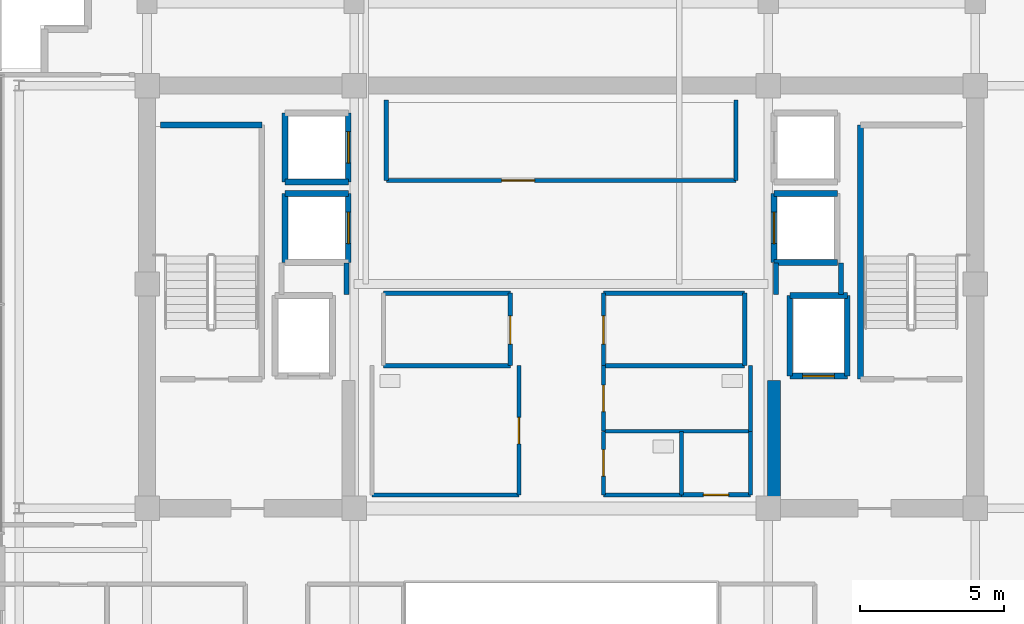
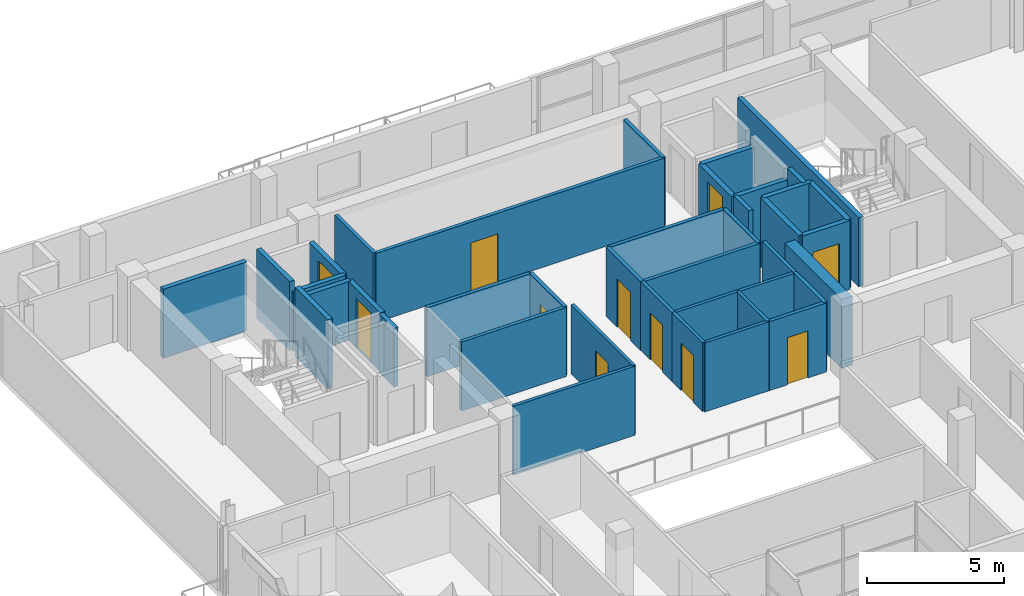
# One storey, part 17 of 24: 39 walls, 11 doors, 11 openings.
"""IFC4 building model written with IfcOpenShell, lengths in metres."""

from ifc_helpers import new_model, si_unit, direction, frame, frame_2d, origin, place, context, subcontext, project, spatial, rectangle, extrude, source, transform, mapped, material, layer, layer_set, type_object, element, fill, save


model = new_model("IFC4")

# Units and contexts
model_context = context("Model", 3, precision=1e-05, world=origin(), true_north=direction((0.0, 1.0)))
body_context = subcontext(model_context, "Body", "Model", "MODEL_VIEW")
ifc_project = project(units=[si_unit("LENGTHUNIT", "METRE"), si_unit("AREAUNIT", "SQUARE_METRE"), si_unit("VOLUMEUNIT", "CUBIC_METRE"), si_unit("PLANEANGLEUNIT", "RADIAN"), si_unit("MASSUNIT", "GRAM", prefix="KILO")], contexts=[model_context])

# Site, building, storey
site_placement = place(None, origin())
site = spatial("IfcSite", under=ifc_project, at=site_placement, CompositionType="ELEMENT")
building_placement = place(site_placement, origin())
building = spatial("IfcBuilding", under=site, at=building_placement, Name="Zarnakvel Exchange Tower", CompositionType="ELEMENT")
storey_placement = place(building_placement, frame((0.0, 0.0, 235.300048828125)))
storey = spatial("IfcBuildingStorey", under=building, at=storey_placement, Name="L66", CompositionType="ELEMENT", Elevation=235.300048828125)

# Wall
ifc_material_1 = material(Name="Concrete C50/60", Category="concrete")
ifc_layer_1 = layer(ifc_material_1, 0.449951171875)
ifc_layer_set_1 = layer_set([ifc_layer_1], Name="Concrete C50/60")
wall_type_1 = type_object("IfcWallType", Name="CW-C6", PredefinedType="SHEAR", material=ifc_layer_set_1)
wall_1_placement = place(storey_placement, frame((7.39990234375, -0.89990234375, 0.0), z_axis=(0.0, 0.0, 1.0), x_axis=(0.0, 1.0, 0.0)))
element("IfcWall", 1, at=wall_1_placement, inside=storey, type_object=wall_type_1, Name="L66 Rear Core Shear Wall IE (CW-C6)", PredefinedType="SHEAR", context=body_context, shape_type="SweptSolid", body=[
    extrude(rectangle(XDim=4.14990234375, YDim=0.449951171875, at=frame_2d((2.074951171875, 0.0))), origin(), (0.0, 0.0, 1.0), 3.074951171875),
])

# Wall, opening, door
ifc_material_2 = material(Name="Fire-Rated Gypsum Stud Partition", Category="gypsum")
ifc_layer_2 = layer(ifc_material_2, 0.14990234375)
ifc_layer_set_2 = layer_set([ifc_layer_2], Name="Fire-Rated Gypsum Stud Partition")
wall_type_2 = type_object("IfcWallType", Name="PT-01", PredefinedType="PARTITIONING", material=ifc_layer_set_2)
wall_2_placement = place(storey_placement, frame((6.080078125, 10.199951171875, 0.0), z_axis=(0.0, 0.0, 1.0), x_axis=(-1.0, 0.0, 0.0)))
wall_2 = element("IfcWall", 2, at=wall_2_placement, inside=storey, type_object=wall_type_2, Name="L66 Partition Wall PWALL-L66-011 (PT-01)", PredefinedType="PARTITIONING", context=body_context, shape_type="SweptSolid", body=[
    extrude(rectangle(XDim=12.16015625, YDim=0.14990234375, at=frame_2d((6.080078125, 0.0))), origin(), (0.0, 0.0, 1.0), 3.074951171875),
])
opening_1_placement = place(wall_2_placement, frame((7.0048828125, 0.0, 0.0)))
opening_1 = element("IfcOpeningElement", 3, at=opening_1_placement, cuts=wall_2, Name="Opening D-L66-05", PredefinedType="OPENING", context=body_context, shape_type="SweptSolid", body=[
    extrude(rectangle(XDim=1.14990234375, YDim=2.14990234375, at=frame_2d((0.574951171875, 1.074951171875))), frame((0.0, 0.0849609375, 0.0), z_axis=(0.0, -1.0, 0.0), x_axis=(1.0, 0.0, 0.0)), (0.0, 0.0, 1.0), 0.169921875),
])
ifc_material_3 = material(Name="Painted Galvanised Steel S355", Category="steel")
door_type_1 = type_object("IfcDoorType", Name="DT-04", OperationType="NOTDEFINED", PredefinedType="DOOR", material=ifc_material_3)
shared_shape_1 = source(origin(), body_context, "Body", "SweptSolid", [
    extrude(rectangle(XDim=1.14990234375, YDim=2.14990234375, at=frame_2d((0.574951171875, 1.074951171875))), frame((0.0, 0.02490234375, 0.0), z_axis=(0.0, -1.0, 0.0), x_axis=(1.0, 0.0, 0.0)), (0.0, 0.0, 1.0), 0.050048828125),
])
door_1_placement = place(opening_1_placement, origin())
door_1 = element("IfcDoor", 4, at=door_1_placement, inside=storey, type_object=door_type_1, Name="L66 Market Data Archive Suite Door D-L66-05", OperationType="SINGLE_SWING_LEFT", OverallHeight=2.14990234375, OverallWidth=1.14990234375, PredefinedType="DOOR", context=body_context, shape_type="MappedRepresentation", body=[
    mapped(shared_shape_1, transform((0.0, 0.0, 0.0), x_axis=(1.0, 0.0, 0.0), y_axis=(0.0, 1.0, 0.0), z_axis=(0.0, 0.0, 1.0), scale=1.0)),
])
fill(opening_1, door_1)

# Walls
for number, where, z_axis, x_axis, name in (
    (5, (-6.080078125, 10.199951171875, 0.0), (0.0, 0.0, 1.0), (0.0, 1.0, 0.0), "L66 Partition Wall PWALL-L66-012 (PT-01)"),
    (6, (6.080078125, 13.0, 0.0), (0.0, 0.0, 1.0), (0.0, -1.0, 0.0), "L66 Partition Wall PWALL-L66-013 (PT-01)"),
):
    element("IfcWall", number, at=place(storey_placement, frame(where, z_axis=z_axis, x_axis=x_axis)), inside=storey, type_object=wall_type_2, Name=name, PredefinedType="PARTITIONING", context=body_context, shape_type="SweptSolid", body=[
        extrude(rectangle(XDim=2.800048828125, YDim=0.14990234375, at=frame_2d((1.39990234375, 0.0))), origin(), (0.0, 0.0, 1.0), 3.074951171875),
    ])
for number, where, z_axis, x_axis, name in (
    (7, (-1.77001953125, 3.760009765625, 0.0), (0.0, 0.0, 1.0), (-1.0, 0.0, 0.0), "L66 Partition Wall PWALL-L66-014 (PT-01)"),
    (8, (-6.179931640625, 6.280029296875, 0.0), (0.0, 0.0, 1.0), (1.0, 0.0, 0.0), "L66 Partition Wall PWALL-L66-015 (PT-01)"),
):
    element("IfcWall", number, at=place(storey_placement, frame(where, z_axis=z_axis, x_axis=x_axis)), inside=storey, type_object=wall_type_2, Name=name, PredefinedType="PARTITIONING", context=body_context, shape_type="SweptSolid", body=[
        extrude(rectangle(XDim=4.409912109375, YDim=0.14990234375, at=frame_2d((2.205078125, 0.0))), origin(), (0.0, 0.0, 1.0), 3.074951171875),
    ])

# Wall, opening, door
wall_3_placement = place(storey_placement, frame((-1.77001953125, 6.280029296875, 0.0), z_axis=(0.0, 0.0, 1.0), x_axis=(0.0, -1.0, 0.0)))
wall_3 = element("IfcWall", 9, at=wall_3_placement, inside=storey, type_object=wall_type_2, Name="L66 Partition Wall PWALL-L66-017 (PT-01)", PredefinedType="PARTITIONING", context=body_context, shape_type="SweptSolid", body=[
    extrude(rectangle(XDim=2.52001953125, YDim=0.14990234375, at=frame_2d((1.260009765625, 0.0))), origin(), (0.0, 0.0, 1.0), 3.074951171875),
])
opening_2_placement = place(wall_3_placement, frame((0.7900390625, 0.0, 0.0)))
opening_2 = element("IfcOpeningElement", 10, at=opening_2_placement, cuts=wall_3, Name="Opening D-L66-06", PredefinedType="OPENING", context=body_context, shape_type="SweptSolid", body=[
    extrude(rectangle(XDim=0.97998046875, YDim=2.14990234375, at=frame_2d((0.489990234375, 1.074951171875))), frame((0.0, 0.0849609375, 0.0), z_axis=(0.0, -1.0, 0.0), x_axis=(1.0, 0.0, 0.0)), (0.0, 0.0, 1.0), 0.169921875),
])
ifc_material_4 = material(Name="Timber Acoustic Veneer", Category="wood")
door_type_2 = type_object("IfcDoorType", Name="DT-05", OperationType="NOTDEFINED", PredefinedType="DOOR", material=ifc_material_4)
shared_shape_2 = source(origin(), body_context, "Body", "SweptSolid", [
    extrude(rectangle(XDim=0.97998046875, YDim=2.14990234375, at=frame_2d((0.489990234375, 1.074951171875))), frame((0.0, 0.02490234375, 0.0), z_axis=(0.0, -1.0, 0.0), x_axis=(1.0, 0.0, 0.0)), (0.0, 0.0, 1.0), 0.050048828125),
])
door_2_placement = place(opening_2_placement, origin())
door_2 = element("IfcDoor", 11, at=door_2_placement, inside=storey, type_object=door_type_2, Name="L66 Sovereign Compliance Office Door D-L66-06", OperationType="SINGLE_SWING_RIGHT", OverallHeight=2.14990234375, OverallWidth=0.97998046875, PredefinedType="DOOR", context=body_context, shape_type="MappedRepresentation", body=[
    mapped(shared_shape_2, transform((0.0, 0.0, 0.0), x_axis=(1.0, 0.0, 0.0), y_axis=(0.0, 1.0, 0.0), z_axis=(0.0, 0.0, 1.0), scale=1.0)),
])
fill(opening_2, door_2)

# Walls
for number, where, z_axis, x_axis, name in (
    (12, (6.3798828125, 3.760009765625, 0.0), (0.0, 0.0, 1.0), (-1.0, 0.0, 0.0), "L66 Partition Wall PWALL-L66-018 (PT-01)"),
    (13, (1.469970703125, 6.280029296875, 0.0), (0.0, 0.0, 1.0), (1.0, 0.0, 0.0), "L66 Partition Wall PWALL-L66-019 (PT-01)"),
):
    element("IfcWall", number, at=place(storey_placement, frame(where, z_axis=z_axis, x_axis=x_axis)), inside=storey, type_object=wall_type_2, Name=name, PredefinedType="PARTITIONING", context=body_context, shape_type="SweptSolid", body=[
        extrude(rectangle(XDim=4.909912109375, YDim=0.14990234375, at=frame_2d((2.455078125, 0.0))), origin(), (0.0, 0.0, 1.0), 3.074951171875),
    ])

# Wall, opening, door
wall_4_placement = place(storey_placement, frame((1.469970703125, 3.760009765625, 0.0), z_axis=(0.0, 0.0, 1.0), x_axis=(0.0, 1.0, 0.0)))
wall_4 = element("IfcWall", 14, at=wall_4_placement, inside=storey, type_object=wall_type_2, Name="L66 Partition Wall PWALL-L66-020 (PT-01)", PredefinedType="PARTITIONING", context=body_context, shape_type="SweptSolid", body=[
    extrude(rectangle(XDim=2.52001953125, YDim=0.14990234375, at=frame_2d((1.260009765625, 0.0))), origin(), (0.0, 0.0, 1.0), 3.074951171875),
])
opening_3_placement = place(wall_4_placement, frame((0.75, 0.0, 0.0)))
opening_3 = element("IfcOpeningElement", 15, at=opening_3_placement, cuts=wall_4, Name="Opening D-L66-07", PredefinedType="OPENING", context=body_context, shape_type="SweptSolid", body=[
    extrude(rectangle(XDim=0.97998046875, YDim=2.14990234375, at=frame_2d((0.489990234375, 1.074951171875))), frame((0.0, 0.0849609375, 0.0), z_axis=(0.0, -1.0, 0.0), x_axis=(1.0, 0.0, 0.0)), (0.0, 0.0, 1.0), 0.169921875),
])
door_3_placement = place(opening_3_placement, origin())
door_3 = element("IfcDoor", 16, at=door_3_placement, inside=storey, type_object=door_type_2, Name="L66 Depository Legal Office Door D-L66-07", OperationType="SINGLE_SWING_LEFT", OverallHeight=2.14990234375, OverallWidth=0.97998046875, PredefinedType="DOOR", context=body_context, shape_type="MappedRepresentation", body=[
    mapped(shared_shape_2, transform((0.0, 0.0, 0.0), x_axis=(1.0, 0.0, 0.0), y_axis=(0.0, 1.0, 0.0), z_axis=(0.0, 0.0, 1.0), scale=1.0)),
])
fill(opening_3, door_3)

# Wall
wall_5_placement = place(storey_placement, frame((6.3798828125, 6.280029296875, 0.0), z_axis=(0.0, 0.0, 1.0), x_axis=(0.0, -1.0, 0.0)))
element("IfcWall", 17, at=wall_5_placement, inside=storey, type_object=wall_type_2, Name="L66 Partition Wall PWALL-L66-021 (PT-01)", PredefinedType="PARTITIONING", context=body_context, shape_type="SweptSolid", body=[
    extrude(rectangle(XDim=2.52001953125, YDim=0.14990234375, at=frame_2d((1.260009765625, 0.0))), origin(), (0.0, 0.0, 1.0), 3.074951171875),
])

# Wall, opening, door
wall_6_placement = place(storey_placement, frame((6.580078125, -0.72998046875, 0.0), z_axis=(0.0, 0.0, 1.0), x_axis=(-1.0, 0.0, 0.0)))
wall_6 = element("IfcWall", 18, at=wall_6_placement, inside=storey, type_object=wall_type_2, Name="L66 Partition Wall PWALL-L66-031 (PT-01)", PredefinedType="PARTITIONING", context=body_context, shape_type="SweptSolid", body=[
    extrude(rectangle(XDim=2.400146484375, YDim=0.14990234375, at=frame_2d((1.2001953125, 0.0))), origin(), (0.0, 0.0, 1.0), 3.074951171875),
])
opening_4_placement = place(wall_6_placement, frame((0.760009765625, 0.0, 0.0)))
opening_4 = element("IfcOpeningElement", 19, at=opening_4_placement, cuts=wall_6, Name="Opening D-L66-11", PredefinedType="OPENING", context=body_context, shape_type="SweptSolid", body=[
    extrude(rectangle(XDim=0.8798828125, YDim=2.10009765625, at=frame_2d((0.43994140625, 1.050048828125))), frame((0.0, 0.0849609375, 0.0), z_axis=(0.0, -1.0, 0.0), x_axis=(1.0, 0.0, 0.0)), (0.0, 0.0, 1.0), 0.169921875),
])
door_type_3 = type_object("IfcDoorType", Name="DT-08", OperationType="NOTDEFINED", PredefinedType="DOOR", material=ifc_material_3)
shared_shape_3 = source(origin(), body_context, "Body", "SweptSolid", [
    extrude(rectangle(XDim=0.8798828125, YDim=2.10009765625, at=frame_2d((0.43994140625, 1.050048828125))), frame((0.0, 0.02490234375, 0.0), z_axis=(0.0, -1.0, 0.0), x_axis=(1.0, 0.0, 0.0)), (0.0, 0.0, 1.0), 0.050048828125),
])
door_4_placement = place(opening_4_placement, origin())
door_4 = element("IfcDoor", 20, at=door_4_placement, inside=storey, type_object=door_type_3, Name="L66 Cleaners Store Door D-L66-11", OperationType="SINGLE_SWING_LEFT", OverallHeight=2.10009765625, OverallWidth=0.8798828125, PredefinedType="DOOR", context=body_context, shape_type="MappedRepresentation", body=[
    mapped(shared_shape_3, transform((0.0, 0.0, 0.0), x_axis=(1.0, 0.0, 0.0), y_axis=(0.0, 1.0, 0.0), z_axis=(0.0, 0.0, 1.0), scale=1.0)),
])
fill(opening_4, door_4)

# Walls
wall_7_placement = place(storey_placement, frame((6.580078125, 1.47998046875, 0.0), z_axis=(0.0, 0.0, 1.0), x_axis=(0.0, -1.0, 0.0)))
element("IfcWall", 21, at=wall_7_placement, inside=storey, type_object=wall_type_2, Name="L66 Partition Wall PWALL-L66-032 (PT-01)", PredefinedType="PARTITIONING", context=body_context, shape_type="SweptSolid", body=[
    extrude(rectangle(XDim=2.2099609375, YDim=0.14990234375, at=frame_2d((1.10498046875, 0.0))), origin(), (0.0, 0.0, 1.0), 3.074951171875),
])
ifc_layer_3 = layer(ifc_material_2, 0.179931640625)
ifc_layer_set_3 = layer_set([ifc_layer_3], Name="Fire-Rated Gypsum Stud Partition")
wall_type_3 = type_object("IfcWallType", Name="PT-02", PredefinedType="PARTITIONING", material=ifc_layer_set_3)
for number, where, z_axis, x_axis, name in (
    (22, (-7.469970703125, 7.330078125, 0.0), (0.0, 0.0, 1.0), (0.0, -1.0, 0.0), "L66 Partition Wall PWALL-L66-008 (PT-02)"),
    (23, (7.469970703125, 6.239990234375, 0.0), (0.0, 0.0, 1.0), (0.0, 1.0, 0.0), "L66 Partition Wall PWALL-L66-009 (PT-02)"),
):
    element("IfcWall", number, at=place(storey_placement, frame(where, z_axis=z_axis, x_axis=x_axis)), inside=storey, type_object=wall_type_3, Name=name, PredefinedType="PARTITIONING", context=body_context, shape_type="SweptSolid", body=[
        extrude(rectangle(XDim=1.090087890625, YDim=0.179931640625, at=frame_2d((0.544921875, 0.0))), origin(), (0.0, 0.0, 1.0), 2.614990234375),
    ])
wall_8_placement = place(storey_placement, frame((9.72998046875, 7.330078125, 0.0), z_axis=(0.0, 0.0, 1.0), x_axis=(0.0, -1.0, 0.0)))
element("IfcWall", 24, at=wall_8_placement, inside=storey, type_object=wall_type_3, Name="L66 Partition Wall PWALL-L66-010 (PT-02)", PredefinedType="PARTITIONING", context=body_context, shape_type="SweptSolid", body=[
    extrude(rectangle(XDim=1.090087890625, YDim=0.179931640625, at=frame_2d((0.544921875, 0.0))), origin(), (0.0, 0.0, 1.0), 3.074951171875),
])
ifc_material_5 = material(Name="Moisture-Resistant Tile-Faced Partition", Category="gypsum")
ifc_layer_4 = layer(ifc_material_5, 0.135009765625)
ifc_layer_set_4 = layer_set([ifc_layer_4], Name="Moisture-Resistant Tile-Faced Partition")
wall_type_4 = type_object("IfcWallType", Name="PT-03", PredefinedType="PARTITIONING", material=ifc_layer_set_4)
wall_9_placement = place(storey_placement, frame((-1.469970703125, -0.72998046875, 0.0), z_axis=(0.0, 0.0, 1.0), x_axis=(-1.0, 0.0, 0.0)))
element("IfcWall", 25, at=wall_9_placement, inside=storey, type_object=wall_type_4, Name="L66 Partition Wall PWALL-L66-022 (PT-03)", PredefinedType="PARTITIONING", context=body_context, shape_type="SweptSolid", body=[
    extrude(rectangle(XDim=5.110107421875, YDim=0.135009765625, at=frame_2d((2.55517578125, 0.0))), origin(), (0.0, 0.0, 1.0), 3.074951171875),
])

# Wall, opening, door
wall_10_placement = place(storey_placement, frame((-1.469970703125, 3.760009765625, 0.0), z_axis=(0.0, 0.0, 1.0), x_axis=(0.0, -1.0, 0.0)))
wall_10 = element("IfcWall", 26, at=wall_10_placement, inside=storey, type_object=wall_type_4, Name="L66 Partition Wall PWALL-L66-024 (PT-03)", PredefinedType="PARTITIONING", context=body_context, shape_type="SweptSolid", body=[
    extrude(rectangle(XDim=4.489990234375, YDim=0.135009765625, at=frame_2d((2.2451171875, 0.0))), origin(), (0.0, 0.0, 1.0), 3.074951171875),
])
opening_5_placement = place(wall_10_placement, frame((1.800048828125, 0.0, 0.0)))
opening_5 = element("IfcOpeningElement", 27, at=opening_5_placement, cuts=wall_10, Name="Opening D-L66-08", PredefinedType="OPENING", context=body_context, shape_type="SweptSolid", body=[
    extrude(rectangle(XDim=0.919921875, YDim=2.10009765625, at=frame_2d((0.4599609375, 1.050048828125))), frame((0.0, 0.077392578125, 0.0), z_axis=(0.0, -1.0, 0.0), x_axis=(1.0, 0.0, 0.0)), (0.0, 0.0, 1.0), 0.155029296875),
])
ifc_material_6 = material(Name="Moisture-Resistant Laminate Timber", Category="wood")
door_type_4 = type_object("IfcDoorType", Name="DT-07", OperationType="NOTDEFINED", PredefinedType="DOOR", material=ifc_material_6)
shared_shape_4 = source(origin(), body_context, "Body", "SweptSolid", [
    extrude(rectangle(XDim=0.919921875, YDim=2.10009765625, at=frame_2d((0.4599609375, 1.050048828125))), frame((0.0, 0.02490234375, 0.0), z_axis=(0.0, -1.0, 0.0), x_axis=(1.0, 0.0, 0.0)), (0.0, 0.0, 1.0), 0.050048828125),
])
door_5_placement = place(opening_5_placement, origin())
door_5 = element("IfcDoor", 28, at=door_5_placement, inside=storey, type_object=door_type_4, Name="L66 Male Toilet Door D-L66-08", OperationType="SINGLE_SWING_RIGHT", OverallHeight=2.10009765625, OverallWidth=0.919921875, PredefinedType="DOOR", context=body_context, shape_type="MappedRepresentation", body=[
    mapped(shared_shape_4, transform((0.0, 0.0, 0.0), x_axis=(1.0, 0.0, 0.0), y_axis=(0.0, 1.0, 0.0), z_axis=(0.0, 0.0, 1.0), scale=1.0)),
])
fill(opening_5, door_5)

# Wall
wall_11_placement = place(storey_placement, frame((6.580078125, 1.47998046875, 0.0), z_axis=(0.0, 0.0, 1.0), x_axis=(-1.0, 0.0, 0.0)))
element("IfcWall", 29, at=wall_11_placement, inside=storey, type_object=wall_type_4, Name="L66 Partition Wall PWALL-L66-025 (PT-03)", PredefinedType="PARTITIONING", context=body_context, shape_type="SweptSolid", body=[
    extrude(rectangle(XDim=5.110107421875, YDim=0.135009765625, at=frame_2d((2.55517578125, 0.0))), origin(), (0.0, 0.0, 1.0), 3.074951171875),
])

# Wall, opening, door
wall_12_placement = place(storey_placement, frame((1.469970703125, 1.47998046875, 0.0), z_axis=(0.0, 0.0, 1.0), x_axis=(0.0, 1.0, 0.0)))
wall_12 = element("IfcWall", 30, at=wall_12_placement, inside=storey, type_object=wall_type_4, Name="L66 Partition Wall PWALL-L66-026 (PT-03)", PredefinedType="PARTITIONING", context=body_context, shape_type="SweptSolid", body=[
    extrude(rectangle(XDim=2.280029296875, YDim=0.135009765625, at=frame_2d((1.14013671875, 0.0))), origin(), (0.0, 0.0, 1.0), 3.074951171875),
])
opening_6_placement = place(wall_12_placement, frame((0.679931640625, 0.0, 0.0)))
opening_6 = element("IfcOpeningElement", 31, at=opening_6_placement, cuts=wall_12, Name="Opening D-L66-09", PredefinedType="OPENING", context=body_context, shape_type="SweptSolid", body=[
    extrude(rectangle(XDim=0.919921875, YDim=2.10009765625, at=frame_2d((0.4599609375, 1.050048828125))), frame((0.0, 0.077392578125, 0.0), z_axis=(0.0, -1.0, 0.0), x_axis=(1.0, 0.0, 0.0)), (0.0, 0.0, 1.0), 0.155029296875),
])
door_6_placement = place(opening_6_placement, origin())
door_6 = element("IfcDoor", 32, at=door_6_placement, inside=storey, type_object=door_type_4, Name="L66 Female Toilet Door D-L66-09", OperationType="SINGLE_SWING_LEFT", OverallHeight=2.10009765625, OverallWidth=0.919921875, PredefinedType="DOOR", context=body_context, shape_type="MappedRepresentation", body=[
    mapped(shared_shape_4, transform((0.0, 0.0, 0.0), x_axis=(1.0, 0.0, 0.0), y_axis=(0.0, 1.0, 0.0), z_axis=(0.0, 0.0, 1.0), scale=1.0)),
])
fill(opening_6, door_6)

# Walls
wall_13_placement = place(storey_placement, frame((6.580078125, 3.760009765625, 0.0), z_axis=(0.0, 0.0, 1.0), x_axis=(0.0, -1.0, 0.0)))
element("IfcWall", 33, at=wall_13_placement, inside=storey, type_object=wall_type_4, Name="L66 Partition Wall PWALL-L66-027 (PT-03)", PredefinedType="PARTITIONING", context=body_context, shape_type="SweptSolid", body=[
    extrude(rectangle(XDim=2.280029296875, YDim=0.135009765625, at=frame_2d((1.14013671875, 0.0))), origin(), (0.0, 0.0, 1.0), 3.074951171875),
])
wall_14_placement = place(storey_placement, frame((4.179931640625, -0.72998046875, 0.0), z_axis=(0.0, 0.0, 1.0), x_axis=(-1.0, 0.0, 0.0)))
element("IfcWall", 34, at=wall_14_placement, inside=storey, type_object=wall_type_4, Name="L66 Partition Wall PWALL-L66-028 (PT-03)", PredefinedType="PARTITIONING", context=body_context, shape_type="SweptSolid", body=[
    extrude(rectangle(XDim=2.7099609375, YDim=0.135009765625, at=frame_2d((1.35498046875, 0.0))), origin(), (0.0, 0.0, 1.0), 3.074951171875),
])

# Wall, opening, door
wall_15_placement = place(storey_placement, frame((1.469970703125, -0.72998046875, 0.0), z_axis=(0.0, 0.0, 1.0), x_axis=(0.0, 1.0, 0.0)))
wall_15 = element("IfcWall", 35, at=wall_15_placement, inside=storey, type_object=wall_type_4, Name="L66 Partition Wall PWALL-L66-029 (PT-03)", PredefinedType="PARTITIONING", context=body_context, shape_type="SweptSolid", body=[
    extrude(rectangle(XDim=2.2099609375, YDim=0.135009765625, at=frame_2d((1.10498046875, 0.0))), origin(), (0.0, 0.0, 1.0), 3.074951171875),
])
opening_7_placement = place(wall_15_placement, frame((0.64990234375, 0.0, 0.0)))
opening_7 = element("IfcOpeningElement", 36, at=opening_7_placement, cuts=wall_15, Name="Opening D-L66-10", PredefinedType="OPENING", context=body_context, shape_type="SweptSolid", body=[
    extrude(rectangle(XDim=0.919921875, YDim=2.10009765625, at=frame_2d((0.4599609375, 1.050048828125))), frame((0.0, 0.077392578125, 0.0), z_axis=(0.0, -1.0, 0.0), x_axis=(1.0, 0.0, 0.0)), (0.0, 0.0, 1.0), 0.155029296875),
])
door_7_placement = place(opening_7_placement, origin())
door_7 = element("IfcDoor", 37, at=door_7_placement, inside=storey, type_object=door_type_4, Name="L66 Accessible Toilet Door D-L66-10", OperationType="SINGLE_SWING_RIGHT", OverallHeight=2.10009765625, OverallWidth=0.919921875, PredefinedType="DOOR", context=body_context, shape_type="MappedRepresentation", body=[
    mapped(shared_shape_4, transform((0.0, 0.0, 0.0), x_axis=(1.0, 0.0, 0.0), y_axis=(0.0, 1.0, 0.0), z_axis=(0.0, 0.0, 1.0), scale=1.0)),
])
fill(opening_7, door_7)

# Wall
wall_16_placement = place(storey_placement, frame((4.179931640625, 1.47998046875, 0.0), z_axis=(0.0, 0.0, 1.0), x_axis=(0.0, -1.0, 0.0)))
element("IfcWall", 38, at=wall_16_placement, inside=storey, type_object=wall_type_4, Name="L66 Partition Wall PWALL-L66-030 (PT-03)", PredefinedType="PARTITIONING", context=body_context, shape_type="SweptSolid", body=[
    extrude(rectangle(XDim=2.2099609375, YDim=0.135009765625, at=frame_2d((1.10498046875, 0.0))), origin(), (0.0, 0.0, 1.0), 3.074951171875),
])

# Wall, opening, door
ifc_material_7 = material(Name="Concrete C40/50", Category="concrete")
ifc_layer_5 = layer(ifc_material_7, 0.199951171875)
ifc_layer_set_5 = layer_set([ifc_layer_5], Name="Concrete C40/50")
wall_type_5 = type_object("IfcWallType", Name="SW-01", PredefinedType="SOLIDWALL", material=ifc_layer_set_5)
wall_17_placement = place(storey_placement, frame((9.949951171875, 3.39990234375, 0.0), z_axis=(0.0, 0.0, 1.0), x_axis=(-1.0, 0.0, 0.0)))
wall_17 = element("IfcWall", 39, at=wall_17_placement, inside=storey, type_object=wall_type_5, Name="L66 FL-02 Hoistway Wall South", PredefinedType="SOLIDWALL", context=body_context, shape_type="SweptSolid", body=[
    extrude(rectangle(XDim=2.0, YDim=0.199951171875, at=frame_2d((1.0, 0.0))), origin(), (0.0, 0.0, 1.0), 3.074951171875),
])
opening_8_placement = place(wall_17_placement, frame((0.449951171875, 0.0, 0.0)))
opening_8 = element("IfcOpeningElement", 40, at=opening_8_placement, cuts=wall_17, Name="Opening LD-FL-02-L66", PredefinedType="OPENING", context=body_context, shape_type="SweptSolid", body=[
    extrude(rectangle(XDim=1.10009765625, YDim=2.199951171875, at=frame_2d((0.550048828125, 1.10009765625))), frame((0.0, 0.10986328125, 0.0), z_axis=(0.0, -1.0, 0.0), x_axis=(1.0, 0.0, 0.0)), (0.0, 0.0, 1.0), 0.219970703125),
])
ifc_material_8 = material(Name="Brushed Stainless Steel", Category="steel")
door_type_5 = type_object("IfcDoorType", Name="LDT-01", OperationType="NOTDEFINED", PredefinedType="DOOR", material=ifc_material_8)
shared_shape_5 = source(origin(), body_context, "Body", "SweptSolid", [
    extrude(rectangle(XDim=1.10009765625, YDim=2.199951171875, at=frame_2d((0.550048828125, 1.10009765625))), frame((0.0, 0.02490234375, 0.0), z_axis=(0.0, -1.0, 0.0), x_axis=(1.0, 0.0, 0.0)), (0.0, 0.0, 1.0), 0.050048828125),
])
door_8_placement = place(opening_8_placement, origin())
door_8 = element("IfcDoor", 41, at=door_8_placement, inside=storey, type_object=door_type_5, Name="L66 FL-02 Lift Landing Door LD-FL-02-L66", OperationType="DOUBLE_DOOR_SLIDING", OverallHeight=2.199951171875, OverallWidth=1.10009765625, PredefinedType="DOOR", context=body_context, shape_type="MappedRepresentation", body=[
    mapped(shared_shape_5, transform((0.0, 0.0, 0.0), x_axis=(1.0, 0.0, 0.0), y_axis=(0.0, 1.0, 0.0), z_axis=(0.0, 0.0, 1.0), scale=1.0)),
])
fill(opening_8, door_8)

# Walls
wall_18_placement = place(storey_placement, frame((7.949951171875, 6.199951171875, 0.0), z_axis=(0.0, 0.0, 1.0), x_axis=(1.0, 0.0, 0.0)))
element("IfcWall", 42, at=wall_18_placement, inside=storey, type_object=wall_type_5, Name="L66 FL-02 Hoistway Wall North", PredefinedType="SOLIDWALL", context=body_context, shape_type="SweptSolid", body=[
    extrude(rectangle(XDim=2.0, YDim=0.199951171875, at=frame_2d((1.0, 0.0))), origin(), (0.0, 0.0, 1.0), 3.074951171875),
])
for number, where, z_axis, x_axis, name in (
    (43, (7.949951171875, 3.39990234375, 0.0), (0.0, 0.0, 1.0), (0.0, 1.0, 0.0), "L66 FL-02 Hoistway Wall West"),
    (44, (9.949951171875, 6.199951171875, 0.0), (0.0, 0.0, 1.0), (0.0, -1.0, 0.0), "L66 FL-02 Hoistway Wall East"),
):
    element("IfcWall", number, at=place(storey_placement, frame(where, z_axis=z_axis, x_axis=x_axis)), inside=storey, type_object=wall_type_5, Name=name, PredefinedType="SOLIDWALL", context=body_context, shape_type="SweptSolid", body=[
        extrude(rectangle(XDim=2.800048828125, YDim=0.199951171875, at=frame_2d((1.39990234375, 0.0))), origin(), (0.0, 0.0, 1.0), 3.074951171875),
    ])
wall_19_placement = place(storey_placement, frame((-9.60009765625, 9.75, 0.0), z_axis=(0.0, 0.0, 1.0), x_axis=(1.0, 0.0, 0.0)))
element("IfcWall", 45, at=wall_19_placement, inside=storey, type_object=wall_type_5, Name="L66 PL-09 Hoistway Wall North", PredefinedType="SOLIDWALL", context=body_context, shape_type="SweptSolid", body=[
    extrude(rectangle(XDim=2.2001953125, YDim=0.199951171875, at=frame_2d((1.10009765625, 0.0))), origin(), (0.0, 0.0, 1.0), 2.614990234375),
])
wall_20_placement = place(storey_placement, frame((-9.60009765625, 7.35009765625, 0.0), z_axis=(0.0, 0.0, 1.0), x_axis=(0.0, 1.0, 0.0)))
element("IfcWall", 46, at=wall_20_placement, inside=storey, type_object=wall_type_5, Name="L66 PL-09 Hoistway Wall West", PredefinedType="SOLIDWALL", context=body_context, shape_type="SweptSolid", body=[
    extrude(rectangle(XDim=2.39990234375, YDim=0.199951171875, at=frame_2d((1.199951171875, 0.0))), origin(), (0.0, 0.0, 1.0), 3.074951171875),
])

# Wall, opening, door
wall_21_placement = place(storey_placement, frame((-7.39990234375, 9.75, 0.0), z_axis=(0.0, 0.0, 1.0), x_axis=(0.0, -1.0, 0.0)))
wall_21 = element("IfcWall", 47, at=wall_21_placement, inside=storey, type_object=wall_type_5, Name="L66 PL-09 Hoistway Wall East", PredefinedType="SOLIDWALL", context=body_context, shape_type="SweptSolid", body=[
    extrude(rectangle(XDim=2.39990234375, YDim=0.199951171875, at=frame_2d((1.199951171875, 0.0))), origin(), (0.0, 0.0, 1.0), 2.614990234375),
])
opening_9_placement = place(wall_21_placement, frame((0.64990234375, 0.0, 0.0)))
opening_9 = element("IfcOpeningElement", 48, at=opening_9_placement, cuts=wall_21, Name="Opening LD-PL-09-L66", PredefinedType="OPENING", context=body_context, shape_type="SweptSolid", body=[
    extrude(rectangle(XDim=1.10009765625, YDim=2.199951171875, at=frame_2d((0.550048828125, 1.10009765625))), frame((0.0, 0.10986328125, 0.0), z_axis=(0.0, -1.0, 0.0), x_axis=(1.0, 0.0, 0.0)), (0.0, 0.0, 1.0), 0.219970703125),
])
ifc_material_9 = material(Name="Architectural Bronze Anodised Aluminium", Category="aluminium")
door_type_6 = type_object("IfcDoorType", Name="LDT-02", OperationType="NOTDEFINED", PredefinedType="DOOR", material=ifc_material_9)
door_9_placement = place(opening_9_placement, origin())
door_9 = element("IfcDoor", 49, at=door_9_placement, inside=storey, type_object=door_type_6, Name="L66 PL-09 Lift Landing Door LD-PL-09-L66", OperationType="DOUBLE_DOOR_SLIDING", OverallHeight=2.199951171875, OverallWidth=1.10009765625, PredefinedType="DOOR", context=body_context, shape_type="MappedRepresentation", body=[
    mapped(shared_shape_5, transform((0.0, 0.0, 0.0), x_axis=(1.0, 0.0, 0.0), y_axis=(0.0, 1.0, 0.0), z_axis=(0.0, 0.0, 1.0), scale=1.0)),
])
fill(opening_9, door_9)

# Walls
wall_22_placement = place(storey_placement, frame((-7.39990234375, 10.14990234375, 0.0), z_axis=(0.0, 0.0, 1.0), x_axis=(-1.0, 0.0, 0.0)))
element("IfcWall", 50, at=wall_22_placement, inside=storey, type_object=wall_type_5, Name="L66 PL-10 Hoistway Wall South", PredefinedType="SOLIDWALL", context=body_context, shape_type="SweptSolid", body=[
    extrude(rectangle(XDim=2.2001953125, YDim=0.199951171875, at=frame_2d((1.10009765625, 0.0))), origin(), (0.0, 0.0, 1.0), 2.614990234375),
])
wall_23_placement = place(storey_placement, frame((-9.60009765625, 10.14990234375, 0.0), z_axis=(0.0, 0.0, 1.0), x_axis=(0.0, 1.0, 0.0)))
element("IfcWall", 51, at=wall_23_placement, inside=storey, type_object=wall_type_5, Name="L66 PL-10 Hoistway Wall West", PredefinedType="SOLIDWALL", context=body_context, shape_type="SweptSolid", body=[
    extrude(rectangle(XDim=2.400146484375, YDim=0.199951171875, at=frame_2d((1.2001953125, 0.0))), origin(), (0.0, 0.0, 1.0), 3.074951171875),
])

# Wall, opening, door
wall_24_placement = place(storey_placement, frame((-7.39990234375, 12.550048828125, 0.0), z_axis=(0.0, 0.0, 1.0), x_axis=(0.0, -1.0, 0.0)))
wall_24 = element("IfcWall", 52, at=wall_24_placement, inside=storey, type_object=wall_type_5, Name="L66 PL-10 Hoistway Wall East", PredefinedType="SOLIDWALL", context=body_context, shape_type="SweptSolid", body=[
    extrude(rectangle(XDim=2.400146484375, YDim=0.199951171875, at=frame_2d((1.2001953125, 0.0))), origin(), (0.0, 0.0, 1.0), 2.614990234375),
])
opening_10_placement = place(wall_24_placement, frame((0.64990234375, 0.0, 0.0)))
opening_10 = element("IfcOpeningElement", 53, at=opening_10_placement, cuts=wall_24, Name="Opening LD-PL-10-L66", PredefinedType="OPENING", context=body_context, shape_type="SweptSolid", body=[
    extrude(rectangle(XDim=1.10009765625, YDim=2.199951171875, at=frame_2d((0.550048828125, 1.10009765625))), frame((0.0, 0.10986328125, 0.0), z_axis=(0.0, -1.0, 0.0), x_axis=(1.0, 0.0, 0.0)), (0.0, 0.0, 1.0), 0.219970703125),
])
door_10_placement = place(opening_10_placement, origin())
door_10 = element("IfcDoor", 54, at=door_10_placement, inside=storey, type_object=door_type_6, Name="L66 PL-10 Lift Landing Door LD-PL-10-L66", OperationType="DOUBLE_DOOR_SLIDING", OverallHeight=2.199951171875, OverallWidth=1.10009765625, PredefinedType="DOOR", context=body_context, shape_type="MappedRepresentation", body=[
    mapped(shared_shape_5, transform((0.0, 0.0, 0.0), x_axis=(1.0, 0.0, 0.0), y_axis=(0.0, 1.0, 0.0), z_axis=(0.0, 0.0, 1.0), scale=1.0)),
])
fill(opening_10, door_10)

# Walls
for number, where, z_axis, x_axis, name in (
    (55, (9.60009765625, 7.35009765625, 0.0), (0.0, 0.0, 1.0), (-1.0, 0.0, 0.0), "L66 PL-11 Hoistway Wall South"),
    (56, (7.39990234375, 9.75, 0.0), (0.0, 0.0, 1.0), (1.0, 0.0, 0.0), "L66 PL-11 Hoistway Wall North"),
):
    element("IfcWall", number, at=place(storey_placement, frame(where, z_axis=z_axis, x_axis=x_axis)), inside=storey, type_object=wall_type_5, Name=name, PredefinedType="SOLIDWALL", context=body_context, shape_type="SweptSolid", body=[
        extrude(rectangle(XDim=2.2001953125, YDim=0.199951171875, at=frame_2d((1.10009765625, 0.0))), origin(), (0.0, 0.0, 1.0), 2.614990234375),
    ])

# Wall, opening, door
wall_25_placement = place(storey_placement, frame((7.39990234375, 7.35009765625, 0.0), z_axis=(0.0, 0.0, 1.0), x_axis=(0.0, 1.0, 0.0)))
wall_25 = element("IfcWall", 57, at=wall_25_placement, inside=storey, type_object=wall_type_5, Name="L66 PL-11 Hoistway Wall West", PredefinedType="SOLIDWALL", context=body_context, shape_type="SweptSolid", body=[
    extrude(rectangle(XDim=2.39990234375, YDim=0.199951171875, at=frame_2d((1.199951171875, 0.0))), origin(), (0.0, 0.0, 1.0), 2.614990234375),
])
opening_11_placement = place(wall_25_placement, frame((0.64990234375, 0.0, 0.0)))
opening_11 = element("IfcOpeningElement", 58, at=opening_11_placement, cuts=wall_25, Name="Opening LD-PL-11-L66", PredefinedType="OPENING", context=body_context, shape_type="SweptSolid", body=[
    extrude(rectangle(XDim=1.10009765625, YDim=2.199951171875, at=frame_2d((0.550048828125, 1.10009765625))), frame((0.0, 0.10986328125, 0.0), z_axis=(0.0, -1.0, 0.0), x_axis=(1.0, 0.0, 0.0)), (0.0, 0.0, 1.0), 0.219970703125),
])
door_11_placement = place(opening_11_placement, origin())
door_11 = element("IfcDoor", 59, at=door_11_placement, inside=storey, type_object=door_type_6, Name="L66 PL-11 Lift Landing Door LD-PL-11-L66", OperationType="DOUBLE_DOOR_SLIDING", OverallHeight=2.199951171875, OverallWidth=1.10009765625, PredefinedType="DOOR", context=body_context, shape_type="MappedRepresentation", body=[
    mapped(shared_shape_5, transform((0.0, 0.0, 0.0), x_axis=(1.0, 0.0, 0.0), y_axis=(0.0, 1.0, 0.0), z_axis=(0.0, 0.0, 1.0), scale=1.0)),
])
fill(opening_11, door_11)

# Walls
ifc_layer_6 = layer(ifc_material_7, 0.199951171875)
ifc_layer_set_6 = layer_set([ifc_layer_6], Name="Concrete C40/50")
wall_type_6 = type_object("IfcWallType", Name="SW-02", PredefinedType="SOLIDWALL", material=ifc_layer_set_6)
wall_26_placement = place(storey_placement, frame((-13.929931640625, 12.1298828125, 0.0), z_axis=(0.0, 0.0, 1.0), x_axis=(1.0, 0.0, 0.0)))
element("IfcWall", 60, at=wall_26_placement, inside=storey, type_object=wall_type_6, Name="L66 Stairwell Core Wall PWALL-L66-002 (SW-02)", PredefinedType="SOLIDWALL", context=body_context, shape_type="SweptSolid", body=[
    extrude(rectangle(XDim=3.52001953125, YDim=0.199951171875, at=frame_2d((1.760009765625, 0.0))), origin(), (0.0, 0.0, 1.0), 3.074951171875),
])
wall_27_placement = place(storey_placement, frame((10.409912109375, 3.2900390625, 0.0), z_axis=(0.0, 0.0, 1.0), x_axis=(0.0, 1.0, 0.0)))
element("IfcWall", 61, at=wall_27_placement, inside=storey, type_object=wall_type_6, Name="L66 Stairwell Core Wall PWALL-L66-006 (SW-02)", PredefinedType="SOLIDWALL", context=body_context, shape_type="SweptSolid", body=[
    extrude(rectangle(XDim=8.83984375, YDim=0.199951171875, at=frame_2d((4.419921875, 0.0))), origin(), (0.0, 0.0, 1.0), 3.074951171875),
])

save(model, "model.ifc")
